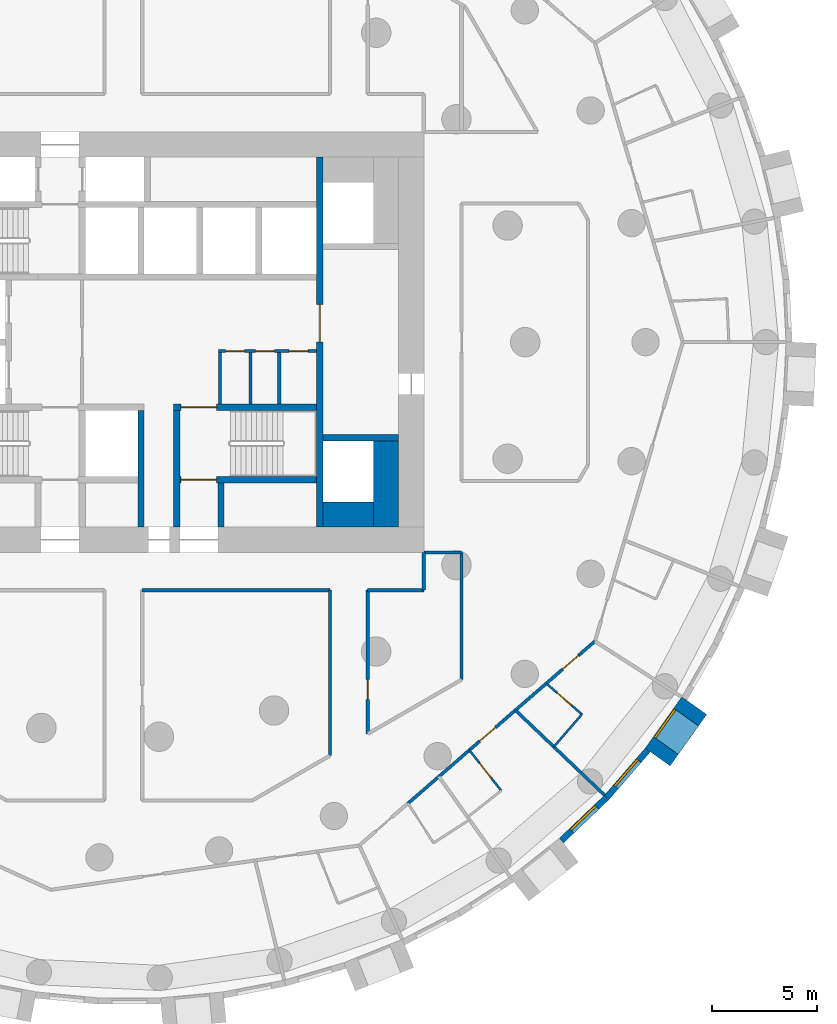
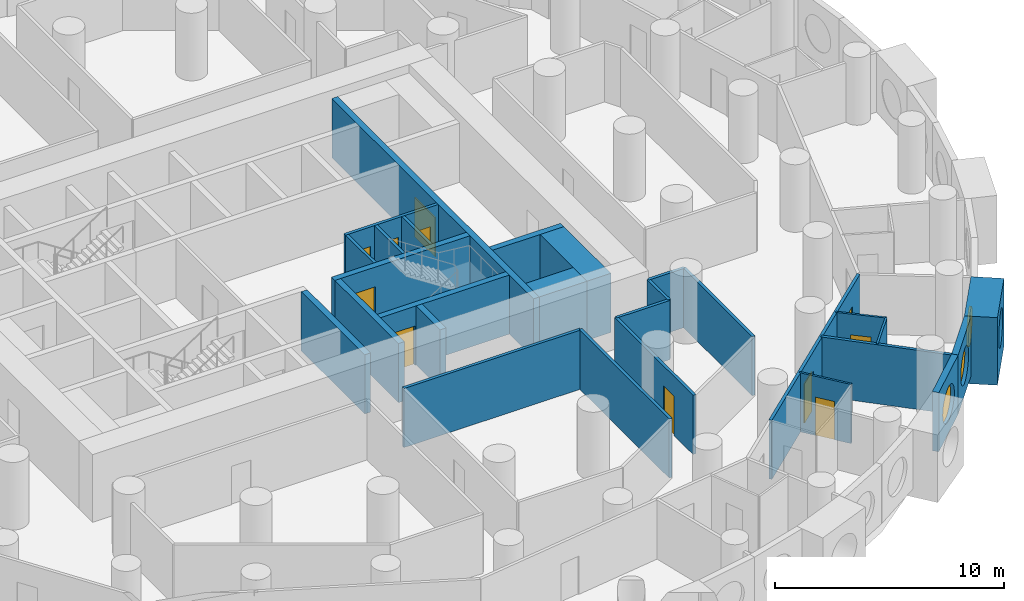
# One storey, part 5 of 12: 28 walls, 11 doors, 3 windows, 14 openings.
"""IFC4 building model written with IfcOpenShell, lengths in metres."""

from ifc_helpers import new_model, si_unit, direction, frame, frame_2d, origin, origin_2d, place, context, subcontext, project, spatial, rectangle, circle, extrude, material, layer, layer_set, type_object, element, fill, save


model = new_model("IFC4")

# Units and contexts
model_context = context("Model", 3, precision=1e-05, world=origin(), true_north=direction((0.0, 1.0)))
body_context = subcontext(model_context, "Body", "Model", "MODEL_VIEW")
ifc_project = project(units=[si_unit("LENGTHUNIT", "METRE"), si_unit("AREAUNIT", "SQUARE_METRE"), si_unit("VOLUMEUNIT", "CUBIC_METRE"), si_unit("PLANEANGLEUNIT", "RADIAN"), si_unit("MASSUNIT", "GRAM", prefix="KILO")], contexts=[model_context])

# Site, building, storey
site_placement = place(None, origin())
site = spatial("IfcSite", under=ifc_project, at=site_placement, CompositionType="ELEMENT")
building_placement = place(site_placement, origin())
building = spatial("IfcBuilding", under=site, at=building_placement, Name="Tracery Tower", CompositionType="ELEMENT")
storey_placement = place(building_placement, frame((0.0, 0.0, 75.0)))
storey = spatial("IfcBuildingStorey", under=building, at=storey_placement, Name="L18", CompositionType="ELEMENT", Elevation=75.0)

# Wall
ifc_material_1 = material(Name="Plasterboard on steel studs", Category="steel")
ifc_layer_1 = layer(ifc_material_1, 0.14990234375)
ifc_layer_set_1 = layer_set([ifc_layer_1], Name="Core room partition 150")
wall_type_1 = type_object("IfcWallType", Name="Core room partition 150", PredefinedType="SOLIDWALL", material=ifc_layer_set_1)
wall_1_placement = place(storey_placement, frame((4.300048828125, -2.949951171875, 0.0), z_axis=(0.0, 0.0, 1.0), x_axis=(0.0, 1.0, 0.0)))
element("IfcWall", 1, at=wall_1_placement, inside=storey, type_object=wall_type_1, Name="L18 slot W", PredefinedType="SOLIDWALL", context=body_context, shape_type="SweptSolid", body=[
    extrude(rectangle(XDim=2.449951171875, YDim=0.14990234375, at=frame_2d((1.22509765625, 0.0))), origin(), (0.0, 0.0, 1.0), 3.14990234375),
])

# Wall, openings, doors
wall_2_placement = place(storey_placement, frame((4.22509765625, -0.425048828125, 0.0), z_axis=(0.0, 0.0, 1.0), x_axis=(1.0, 0.0, 0.0)))
wall_2 = element("IfcWall", 2, at=wall_2_placement, inside=storey, type_object=wall_type_1, Name="L18 slot N", PredefinedType="SOLIDWALL", context=body_context, shape_type="SweptSolid", body=[
    extrude(rectangle(XDim=4.6748046875, YDim=0.14990234375, at=frame_2d((2.33740234375, 0.0))), origin(), (0.0, 0.0, 1.0), 3.14990234375),
])
opening_1_placement = place(wall_2_placement, frame((0.35009765625, 0.0, 0.0)))
opening_1 = element("IfcOpeningElement", 3, at=opening_1_placement, cuts=wall_2, Name="Opening KD27", PredefinedType="OPENING", context=body_context, shape_type="SweptSolid", body=[
    extrude(rectangle(XDim=0.89990234375, YDim=2.10009765625, at=frame_2d((0.449951171875, 1.050048828125))), frame((0.0, 0.074951171875, 0.0), z_axis=(0.0, -1.0, 0.0), x_axis=(1.0, 0.0, 0.0)), (0.0, 0.0, 1.0), 0.14990234375),
])
opening_2_placement = place(wall_2_placement, frame((1.762451171875, 0.0, 0.0)))
opening_2 = element("IfcOpeningElement", 4, at=opening_2_placement, cuts=wall_2, Name="Opening KD31", PredefinedType="OPENING", context=body_context, shape_type="SweptSolid", body=[
    extrude(rectangle(XDim=0.89990234375, YDim=2.10009765625, at=frame_2d((0.449951171875, 1.050048828125))), frame((0.0, 0.074951171875, 0.0), z_axis=(0.0, -1.0, 0.0), x_axis=(1.0, 0.0, 0.0)), (0.0, 0.0, 1.0), 0.14990234375),
])
opening_3_placement = place(wall_2_placement, frame((3.375, 0.0, 0.0)))
opening_3 = element("IfcOpeningElement", 5, at=opening_3_placement, cuts=wall_2, Name="Opening KD22", PredefinedType="OPENING", context=body_context, shape_type="SweptSolid", body=[
    extrude(rectangle(XDim=0.89990234375, YDim=2.10009765625, at=frame_2d((0.449951171875, 1.050048828125))), frame((0.0, 0.074951171875, 0.0), z_axis=(0.0, -1.0, 0.0), x_axis=(1.0, 0.0, 0.0)), (0.0, 0.0, 1.0), 0.14990234375),
])
ifc_material_2 = material(Name="Timber door leaf", Category="wood")
door_type_1 = type_object("IfcDoorType", Name="Core WC door 900", OperationType="NOTDEFINED", PredefinedType="DOOR", material=ifc_material_2)
door_1_placement = place(opening_3_placement, origin())
door_1 = element("IfcDoor", 6, at=door_1_placement, inside=storey, type_object=door_type_1, Name="Core door", OperationType="SINGLE_SWING_RIGHT", OverallHeight=2.10009765625, OverallWidth=0.89990234375, PredefinedType="DOOR", context=body_context, shape_type="SweptSolid", body=[
    extrude(rectangle(XDim=0.89990234375, YDim=2.10009765625, at=frame_2d((0.449951171875, 1.050048828125))), frame((0.0, 0.02490234375, 0.0), z_axis=(0.0, -1.0, 0.0), x_axis=(1.0, 0.0, 0.0)), (0.0, 0.0, 1.0), 0.050048828125),
])
fill(opening_3, door_1)
ifc_material_3 = material(Name="Steel fire door", Category="steel")
door_type_2 = type_object("IfcDoorType", Name="Core riser door 900", OperationType="NOTDEFINED", PredefinedType="DOOR", material=ifc_material_3)
door_2_placement = place(opening_2_placement, origin())
door_2 = element("IfcDoor", 7, at=door_2_placement, inside=storey, type_object=door_type_2, Name="Core door", OperationType="SINGLE_SWING_LEFT", OverallHeight=2.10009765625, OverallWidth=0.89990234375, PredefinedType="DOOR", context=body_context, shape_type="SweptSolid", body=[
    extrude(rectangle(XDim=0.89990234375, YDim=2.10009765625, at=frame_2d((0.449951171875, 1.050048828125))), frame((0.0, 0.02490234375, 0.0), z_axis=(0.0, -1.0, 0.0), x_axis=(1.0, 0.0, 0.0)), (0.0, 0.0, 1.0), 0.050048828125),
])
fill(opening_2, door_2)
ifc_material_4 = material(Name="Timber door leaf", Category="wood")
door_type_3 = type_object("IfcDoorType", Name="Core store door 900", OperationType="NOTDEFINED", PredefinedType="DOOR", material=ifc_material_4)
door_3_placement = place(opening_1_placement, origin())
door_3 = element("IfcDoor", 8, at=door_3_placement, inside=storey, type_object=door_type_3, Name="Core door", OperationType="SINGLE_SWING_RIGHT", OverallHeight=2.10009765625, OverallWidth=0.89990234375, PredefinedType="DOOR", context=body_context, shape_type="SweptSolid", body=[
    extrude(rectangle(XDim=0.89990234375, YDim=2.10009765625, at=frame_2d((0.449951171875, 1.050048828125))), frame((0.0, 0.02490234375, 0.0), z_axis=(0.0, -1.0, 0.0), x_axis=(1.0, 0.0, 0.0)), (0.0, 0.0, 1.0), 0.050048828125),
])
fill(opening_1, door_3)

# Walls
for number, where, z_axis, x_axis, name in (
    (9, (5.75, -2.949951171875, 0.0), (0.0, 0.0, 1.0), (0.0, 1.0, 0.0), "L18 slot sep 1"),
    (10, (7.125, -2.949951171875, 0.0), (0.0, 0.0, 1.0), (0.0, 1.0, 0.0), "L18 slot sep 2"),
):
    element("IfcWall", number, at=place(storey_placement, frame(where, z_axis=z_axis, x_axis=x_axis)), inside=storey, type_object=wall_type_1, Name=name, PredefinedType="SOLIDWALL", context=body_context, shape_type="SweptSolid", body=[
        extrude(rectangle(XDim=2.449951171875, YDim=0.14990234375, at=frame_2d((1.22509765625, 0.0))), origin(), (0.0, 0.0, 1.0), 3.14990234375),
    ])
ifc_material_5 = material(Name="Concrete C60/75", Category="concrete")
ifc_layer_2 = layer(ifc_material_5, 1.199951171875)
ifc_layer_set_2 = layer_set([ifc_layer_2], Name="Core strip wall 1200 C60")
wall_type_2 = type_object("IfcWallType", Name="Core strip wall 1200 C60", PredefinedType="SOLIDWALL", material=ifc_layer_set_2)
wall_3_placement = place(storey_placement, frame((12.199951171875, -8.800048828125, 0.0), z_axis=(0.0, 0.0, 1.0), x_axis=(0.0, 1.0, 0.0)))
element("IfcWall", 11, at=wall_3_placement, inside=storey, type_object=wall_type_2, Name="L18 wing strip +1 -9.4", PredefinedType="SOLIDWALL", context=body_context, shape_type="SweptSolid", body=[
    extrude(rectangle(XDim=4.10009765625, YDim=1.199951171875, at=frame_2d((2.050048828125, 0.0))), origin(), (0.0, 0.0, 1.0), 3.14990234375),
])
wall_4_placement = place(storey_placement, frame((9.199951171875, -8.199951171875, 0.0), z_axis=(0.0, 0.0, 1.0), x_axis=(1.0, 0.0, 0.0)))
element("IfcWall", 12, at=wall_4_placement, inside=storey, type_object=wall_type_2, Name="L18 wing corner +1 -8.2", PredefinedType="SOLIDWALL", context=body_context, shape_type="SweptSolid", body=[
    extrude(rectangle(XDim=2.400146484375, YDim=1.199951171875, at=frame_2d((1.2001953125, 0.0))), origin(), (0.0, 0.0, 1.0), 3.14990234375),
])

# Wall, opening, window
ifc_material_6 = material(Name="Precast concrete C50/60", Category="concrete")
ifc_layer_3 = layer(ifc_material_6, 1.449951171875)
ifc_layer_set_3 = layer_set([ifc_layer_3], Name="Deep-set bay unit 3000 x 3600, slab edge 450")
wall_type_3 = type_object("IfcWallType", Name="Deep-set bay unit 3000 x 3600, slab edge 450", PredefinedType="ELEMENTEDWALL", material=ifc_layer_set_3)
wall_5_placement = place(storey_placement, frame((25.126220703125, -19.733642578125, -0.449951171875), z_axis=(0.0, 0.0, 1.0), x_axis=(0.580090570606, 0.814551981088, 0.0)))
wall_5 = element("IfcWall", 13, at=wall_5_placement, inside=storey, type_object=wall_type_3, Name="Deep-set bay unit 60 at L18", PredefinedType="ELEMENTEDWALL", context=body_context, shape_type="SweptSolid", body=[
    extrude(rectangle(XDim=3.0, YDim=1.449951171875, at=frame_2d((1.5, 0.0))), origin(), (0.0, 0.0, 1.0), 3.599853515625),
])
opening_4_placement = place(wall_5_placement, frame((1.5, 0.0, 2.0)))
opening_4 = element("IfcOpeningElement", 14, at=opening_4_placement, cuts=wall_5, Name="Opening WN1", PredefinedType="OPENING", context=body_context, shape_type="SweptSolid", body=[
    extrude(circle(Radius=0.9000244140625, at=origin_2d()), frame((0.0, 0.73486328125, 0.0), z_axis=(0.0, -1.0, 0.0), x_axis=(1.0, 0.0, 0.0)), (0.0, 0.0, 1.0), 1.469970703125),
])
ifc_material_7 = material(Name="Aluminium frame with tinted double glazing", Category="aluminium")
window_type = type_object("IfcWindowType", Name="Round window 1800", PartitioningType="SINGLE_PANEL", PredefinedType="WINDOW", material=ifc_material_7)
window_1_placement = place(opening_4_placement, origin())
window_1 = element("IfcWindow", 15, at=window_1_placement, inside=storey, type_object=window_type, Name="Round window 60 at L18", OverallHeight=1.800048828125, OverallWidth=1.800048828125, PartitioningType="SINGLE_PANEL", PredefinedType="WINDOW", context=body_context, shape_type="SweptSolid", body=[
    extrude(circle(Radius=0.9000244140625, at=origin_2d()), frame((0.0, 0.69482421875, 0.0), z_axis=(0.0, -1.0, 0.0), x_axis=(1.0, 0.0, 0.0)), (0.0, 0.0, 1.0), 0.10009765625),
])
fill(opening_4, window_1)

ifc_material_8 = material(Name="Precast concrete C50/60", Category="concrete")
ifc_layer_4 = layer(ifc_material_8, 0.300048828125)
ifc_layer_set_4 = layer_set([ifc_layer_4], Name="Facade panel 3000 x 3150")
wall_type_4 = type_object("IfcWallType", Name="Facade panel 3000 x 3150", PredefinedType="SOLIDWALL", material=ifc_layer_set_4)
wall_6_placement = place(storey_placement, frame((20.55029296875, -23.70703125, 0.0), z_axis=(0.0, 0.0, 1.0), x_axis=(0.723744206617, 0.690068346896, 0.0)))
wall_6 = element("IfcWall", 16, at=wall_6_placement, inside=storey, type_object=wall_type_4, Name="Facade panel 58 at L18", PredefinedType="SOLIDWALL", context=body_context, shape_type="SweptSolid", body=[
    extrude(rectangle(XDim=2.979736328125, YDim=0.300048828125, at=frame_2d((1.48974609375, 0.0))), origin(), (0.0, 0.0, 1.0), 3.14990234375),
])
opening_5_placement = place(wall_6_placement, frame((1.48974609375, 0.0, 1.5498046875)))
opening_5 = element("IfcOpeningElement", 17, at=opening_5_placement, cuts=wall_6, Name="Opening WN1", PredefinedType="OPENING", context=body_context, shape_type="SweptSolid", body=[
    extrude(circle(Radius=0.9000244140625, at=origin_2d()), frame((0.0, 0.159912109375, 0.0), z_axis=(0.0, -1.0, 0.0), x_axis=(1.0, 0.0, 0.0)), (0.0, 0.0, 1.0), 0.320068359375),
])
window_2_placement = place(opening_5_placement, origin())
window_2 = element("IfcWindow", 18, at=window_2_placement, inside=storey, type_object=window_type, Name="Round window 58 at L18", OverallHeight=1.800048828125, OverallWidth=1.800048828125, PartitioningType="SINGLE_PANEL", PredefinedType="WINDOW", context=body_context, shape_type="SweptSolid", body=[
    extrude(circle(Radius=0.9000244140625, at=origin_2d()), frame((0.0, 0.1201171875, 0.0), z_axis=(0.0, -1.0, 0.0), x_axis=(1.0, 0.0, 0.0)), (0.0, 0.0, 1.0), 0.10009765625),
])
fill(opening_5, window_2)

wall_7_placement = place(storey_placement, frame((22.706787109375, -21.65087890625, 0.0), z_axis=(0.0, 0.0, 1.0), x_axis=(0.654830712471, 0.755775587066, 0.0)))
wall_7 = element("IfcWall", 19, at=wall_7_placement, inside=storey, type_object=wall_type_4, Name="Facade panel 59 at L18", PredefinedType="SOLIDWALL", context=body_context, shape_type="SweptSolid", body=[
    extrude(rectangle(XDim=2.979736328125, YDim=0.300048828125, at=frame_2d((1.48974609375, 0.0))), origin(), (0.0, 0.0, 1.0), 3.14990234375),
])
opening_6_placement = place(wall_7_placement, frame((1.48974609375, 0.0, 1.5498046875)))
opening_6 = element("IfcOpeningElement", 20, at=opening_6_placement, cuts=wall_7, Name="Opening WN1", PredefinedType="OPENING", context=body_context, shape_type="SweptSolid", body=[
    extrude(circle(Radius=0.9000244140625, at=origin_2d()), frame((0.0, 0.159912109375, 0.0), z_axis=(0.0, -1.0, 0.0), x_axis=(1.0, 0.0, 0.0)), (0.0, 0.0, 1.0), 0.320068359375),
])
window_3_placement = place(opening_6_placement, origin())
window_3 = element("IfcWindow", 21, at=window_3_placement, inside=storey, type_object=window_type, Name="Round window 59 at L18", OverallHeight=1.800048828125, OverallWidth=1.800048828125, PartitioningType="SINGLE_PANEL", PredefinedType="WINDOW", context=body_context, shape_type="SweptSolid", body=[
    extrude(circle(Radius=0.9000244140625, at=origin_2d()), frame((0.0, 0.1201171875, 0.0), z_axis=(0.0, -1.0, 0.0), x_axis=(1.0, 0.0, 0.0)), (0.0, 0.0, 1.0), 0.10009765625),
])
fill(opening_6, window_3)

# Wall, opening, door
ifc_material_9 = material(Name="Plasterboard on steel studs", Category="steel")
ifc_layer_5 = layer(ifc_material_9, 0.10009765625)
ifc_layer_set_5 = layer_set([ifc_layer_5], Name="Partition 100 wet wall")
wall_type_5 = type_object("IfcWallType", Name="Partition 100 wet wall", PredefinedType="PARTITIONING", material=ifc_layer_set_5)
wall_8_placement = place(storey_placement, frame((16.16796875, -19.404052734375, 0.0), z_axis=(0.0, 0.0, 1.0), x_axis=(0.618142414415, -0.786066126672, 0.0)))
wall_8 = element("IfcWall", 22, at=wall_8_placement, inside=storey, type_object=wall_type_5, Name="Wet wall RA5-094", PredefinedType="PARTITIONING", context=body_context, shape_type="SweptSolid", body=[
    extrude(rectangle(XDim=2.45263671875, YDim=0.10009765625, at=frame_2d((1.226318359375, 0.0))), origin(), (0.0, 0.0, 1.0), 3.14990234375),
])
opening_7_placement = place(wall_8_placement, frame((0.776611328125, 0.0, 0.0)))
opening_7 = element("IfcOpeningElement", 23, at=opening_7_placement, cuts=wall_8, Name="Opening RA5-35", PredefinedType="OPENING", context=body_context, shape_type="SweptSolid", body=[
    extrude(rectangle(XDim=0.89990234375, YDim=2.0400390625, at=frame_2d((0.449951171875, 1.02001953125))), frame((0.0, 0.050048828125, 0.0), z_axis=(0.0, -1.0, 0.0), x_axis=(1.0, 0.0, 0.0)), (0.0, 0.0, 1.0), 0.10009765625),
])
ifc_material_10 = material(Name="Timber door leaf", Category="wood")
door_type_4 = type_object("IfcDoorType", Name="Door en-suite 900", OperationType="NOTDEFINED", PredefinedType="DOOR", material=ifc_material_10)
door_4_placement = place(opening_7_placement, origin())
door_4 = element("IfcDoor", 24, at=door_4_placement, inside=storey, type_object=door_type_4, Name="En-suite door RA5-35", OperationType="SINGLE_SWING_LEFT", OverallHeight=2.0400390625, OverallWidth=0.89990234375, PredefinedType="DOOR", context=body_context, shape_type="SweptSolid", body=[
    extrude(rectangle(XDim=0.89990234375, YDim=2.0400390625, at=frame_2d((0.449951171875, 1.02001953125))), frame((0.0, 0.02490234375, 0.0), z_axis=(0.0, -1.0, 0.0), x_axis=(1.0, 0.0, 0.0)), (0.0, 0.0, 1.0), 0.050048828125),
])
fill(opening_7, door_4)

# Wall
wall_9_placement = place(storey_placement, frame((20.18408203125, -19.2451171875, 0.0), z_axis=(0.0, 0.0, 1.0), x_axis=(0.655017058368, 0.755614090159, 0.0)))
element("IfcWall", 25, at=wall_9_placement, inside=storey, type_object=wall_type_5, Name="Wet wall RA5-096", PredefinedType="PARTITIONING", context=body_context, shape_type="SweptSolid", body=[
    extrude(rectangle(XDim=2.041015625, YDim=0.10009765625, at=frame_2d((1.0205078125, 0.0))), origin(), (0.0, 0.0, 1.0), 3.14990234375),
])

# Wall, opening, door
wall_10_placement = place(storey_placement, frame((19.825927734375, -16.23388671875, 0.0), z_axis=(0.0, 0.0, 1.0), x_axis=(0.755703447798, -0.654913963042, 0.0)))
wall_10 = element("IfcWall", 26, at=wall_10_placement, inside=storey, type_object=wall_type_5, Name="Wet wall RA5-097", PredefinedType="PARTITIONING", context=body_context, shape_type="SweptSolid", body=[
    extrude(rectangle(XDim=2.242919921875, YDim=0.10009765625, at=frame_2d((1.12158203125, 0.0))), origin(), (0.0, 0.0, 1.0), 3.14990234375),
])
opening_8_placement = place(wall_10_placement, frame((0.672119140625, 0.0, 0.0)))
opening_8 = element("IfcOpeningElement", 27, at=opening_8_placement, cuts=wall_10, Name="Opening RA5-37", PredefinedType="OPENING", context=body_context, shape_type="SweptSolid", body=[
    extrude(rectangle(XDim=0.89990234375, YDim=2.0400390625, at=frame_2d((0.449951171875, 1.02001953125))), frame((0.0, 0.050048828125, 0.0), z_axis=(0.0, -1.0, 0.0), x_axis=(1.0, 0.0, 0.0)), (0.0, 0.0, 1.0), 0.10009765625),
])
door_5_placement = place(opening_8_placement, origin())
door_5 = element("IfcDoor", 28, at=door_5_placement, inside=storey, type_object=door_type_4, Name="En-suite door RA5-37", OperationType="SINGLE_SWING_LEFT", OverallHeight=2.0400390625, OverallWidth=0.89990234375, PredefinedType="DOOR", context=body_context, shape_type="SweptSolid", body=[
    extrude(rectangle(XDim=0.89990234375, YDim=2.0400390625, at=frame_2d((0.449951171875, 1.02001953125))), frame((0.0, 0.02490234375, 0.0), z_axis=(0.0, -1.0, 0.0), x_axis=(1.0, 0.0, 0.0)), (0.0, 0.0, 1.0), 0.050048828125),
])
fill(opening_8, door_5)

# Walls
ifc_material_11 = material(Name="Plasterboard on steel studs", Category="steel")
ifc_layer_6 = layer(ifc_material_11, 0.14990234375)
ifc_layer_set_6 = layer_set([ifc_layer_6], Name="Partition 150 acoustic unit wall")
wall_type_6 = type_object("IfcWallType", Name="Partition 150 acoustic unit wall", PredefinedType="PARTITIONING", material=ifc_layer_set_6)
wall_11_placement = place(storey_placement, frame((18.35888671875, -17.506103515625, 0.0), z_axis=(0.0, 0.0, 1.0), x_axis=(0.723808715798, -0.690000683286, 0.0)))
element("IfcWall", 29, at=wall_11_placement, inside=storey, type_object=wall_type_6, Name="Unit wall RA5-095", PredefinedType="PARTITIONING", context=body_context, shape_type="SweptSolid", body=[
    extrude(rectangle(XDim=5.8564453125, YDim=0.14990234375, at=frame_2d((2.92822265625, 0.0))), origin(), (0.0, 0.0, 1.0), 3.14990234375),
])
ifc_material_12 = material(Name="Plasterboard on steel studs", Category="steel")
ifc_layer_7 = layer(ifc_material_12, 0.14990234375)
ifc_layer_set_7 = layer_set([ifc_layer_7], Name="Partition 150 corridor wall")
wall_type_7 = type_object("IfcWallType", Name="Partition 150 corridor wall", PredefinedType="PARTITIONING", material=ifc_layer_set_7)
wall_12_placement = place(storey_placement, frame((0.60400390625, -11.800048828125, 0.0), z_axis=(0.0, 0.0, 1.0), x_axis=(1.0, 0.0, 0.0)))
element("IfcWall", 30, at=wall_12_placement, inside=storey, type_object=wall_type_7, Name="Corridor wall RA5-006", PredefinedType="PARTITIONING", context=body_context, shape_type="SweptSolid", body=[
    extrude(rectangle(XDim=8.93603515625, YDim=0.14990234375, at=frame_2d((4.468017578125, 0.0))), origin(), (0.0, 0.0, 1.0), 3.14990234375),
])
wall_13_placement = place(storey_placement, frame((14.0, -11.800048828125, 0.0), z_axis=(0.0, 0.0, 1.0), x_axis=(0.0, 1.0, 0.0)))
element("IfcWall", 31, at=wall_13_placement, inside=storey, type_object=wall_type_7, Name="Corridor wall RA5-007", PredefinedType="PARTITIONING", context=body_context, shape_type="SweptSolid", body=[
    extrude(rectangle(XDim=1.800048828125, YDim=0.14990234375, at=frame_2d((0.89990234375, 0.0))), origin(), (0.0, 0.0, 1.0), 3.14990234375),
])
wall_14_placement = place(storey_placement, frame((11.33203125, -11.800048828125, 0.0), z_axis=(0.0, 0.0, 1.0), x_axis=(1.0, 0.0, 0.0)))
element("IfcWall", 32, at=wall_14_placement, inside=storey, type_object=wall_type_7, Name="Corridor wall RA5-008", PredefinedType="PARTITIONING", context=body_context, shape_type="SweptSolid", body=[
    extrude(rectangle(XDim=2.66796875, YDim=0.14990234375, at=frame_2d((1.333984375, 0.0))), origin(), (0.0, 0.0, 1.0), 3.14990234375),
])
wall_15_placement = place(storey_placement, frame((14.0, -10.0, 0.0), z_axis=(0.0, 0.0, 1.0), x_axis=(1.0, 0.0, 0.0)))
element("IfcWall", 33, at=wall_15_placement, inside=storey, type_object=wall_type_7, Name="Corridor wall RA5-010", PredefinedType="PARTITIONING", context=body_context, shape_type="SweptSolid", body=[
    extrude(rectangle(XDim=1.800048828125, YDim=0.14990234375, at=frame_2d((0.89990234375, 0.0))), origin(), (0.0, 0.0, 1.0), 3.14990234375),
])
wall_16_placement = place(storey_placement, frame((15.800048828125, -16.052978515625, 0.0), z_axis=(0.0, 0.0, 1.0), x_axis=(0.0, 1.0, 0.0)))
element("IfcWall", 34, at=wall_16_placement, inside=storey, type_object=wall_type_7, Name="Corridor wall RA5-013", PredefinedType="PARTITIONING", context=body_context, shape_type="SweptSolid", body=[
    extrude(rectangle(XDim=6.056884765625, YDim=0.14990234375, at=frame_2d((3.0283203125, 0.0))), origin(), (0.0, 0.0, 1.0), 3.14990234375),
])

# Wall, openings, doors
wall_17_placement = place(storey_placement, frame((13.247314453125, -21.939453125, 0.0), z_axis=(0.0, 0.0, 1.0), x_axis=(0.755420750547, 0.655240024451, 0.0)))
wall_17 = element("IfcWall", 35, at=wall_17_placement, inside=storey, type_object=wall_type_7, Name="Corridor wall RA5-022", PredefinedType="PARTITIONING", context=body_context, shape_type="SweptSolid", body=[
    extrude(rectangle(XDim=11.770751953125, YDim=0.14990234375, at=frame_2d((5.88525390625, 0.0))), origin(), (0.0, 0.0, 1.0), 3.14990234375),
])
opening_9_placement = place(wall_17_placement, frame((4.512939453125, 0.0, 0.0)))
opening_9 = element("IfcOpeningElement", 36, at=opening_9_placement, cuts=wall_17, Name="Opening RA5-36", PredefinedType="OPENING", context=body_context, shape_type="SweptSolid", body=[
    extrude(rectangle(XDim=1.0, YDim=2.10009765625, at=frame_2d((0.5, 1.050048828125))), frame((0.0, 0.074951171875, 0.0), z_axis=(0.0, -1.0, 0.0), x_axis=(1.0, 0.0, 0.0)), (0.0, 0.0, 1.0), 0.14990234375),
])
opening_10_placement = place(wall_17_placement, frame((9.73779296875, 0.0, 0.0)))
opening_10 = element("IfcOpeningElement", 37, at=opening_10_placement, cuts=wall_17, Name="Opening RA5-38", PredefinedType="OPENING", context=body_context, shape_type="SweptSolid", body=[
    extrude(rectangle(XDim=1.0, YDim=2.10009765625, at=frame_2d((0.5, 1.050048828125))), frame((0.0, 0.074951171875, 0.0), z_axis=(0.0, -1.0, 0.0), x_axis=(1.0, 0.0, 0.0)), (0.0, 0.0, 1.0), 0.14990234375),
])
ifc_material_13 = material(Name="Timber door leaf", Category="wood")
door_type_5 = type_object("IfcDoorType", Name="Door unit entrance 1000", OperationType="NOTDEFINED", PredefinedType="DOOR", material=ifc_material_13)
door_6_placement = place(opening_9_placement, origin())
door_6 = element("IfcDoor", 38, at=door_6_placement, inside=storey, type_object=door_type_5, Name="Unit entrance door RA5-36", OperationType="SINGLE_SWING_LEFT", OverallHeight=2.10009765625, OverallWidth=1.0, PredefinedType="DOOR", context=body_context, shape_type="SweptSolid", body=[
    extrude(rectangle(XDim=1.0, YDim=2.10009765625, at=frame_2d((0.5, 1.050048828125))), frame((0.0, 0.02490234375, 0.0), z_axis=(0.0, -1.0, 0.0), x_axis=(1.0, 0.0, 0.0)), (0.0, 0.0, 1.0), 0.050048828125),
])
fill(opening_9, door_6)
door_7_placement = place(opening_10_placement, origin())
door_7 = element("IfcDoor", 39, at=door_7_placement, inside=storey, type_object=door_type_5, Name="Unit entrance door RA5-38", OperationType="SINGLE_SWING_LEFT", OverallHeight=2.10009765625, OverallWidth=1.0, PredefinedType="DOOR", context=body_context, shape_type="SweptSolid", body=[
    extrude(rectangle(XDim=1.0, YDim=2.10009765625, at=frame_2d((0.5, 1.050048828125))), frame((0.0, 0.02490234375, 0.0), z_axis=(0.0, -1.0, 0.0), x_axis=(1.0, 0.0, 0.0)), (0.0, 0.0, 1.0), 0.050048828125),
])
fill(opening_10, door_7)

# Wall
wall_18_placement = place(storey_placement, frame((9.535888671875, -19.6689453125, 0.0), z_axis=(0.0, 0.0, 1.0), x_axis=(0.0, 1.0, 0.0)))
element("IfcWall", 40, at=wall_18_placement, inside=storey, type_object=wall_type_7, Name="Corridor wall RA5-051", PredefinedType="PARTITIONING", context=body_context, shape_type="SweptSolid", body=[
    extrude(rectangle(XDim=7.868896484375, YDim=0.14990234375, at=frame_2d((3.9345703125, 0.0))), origin(), (0.0, 0.0, 1.0), 3.14990234375),
])

# Wall, opening, door
wall_19_placement = place(storey_placement, frame((11.3359375, -18.6298828125, 0.0), z_axis=(0.0, 0.0, 1.0), x_axis=(0.0, 1.0, 0.0)))
wall_19 = element("IfcWall", 41, at=wall_19_placement, inside=storey, type_object=wall_type_7, Name="Corridor wall RA5-052", PredefinedType="PARTITIONING", context=body_context, shape_type="SweptSolid", body=[
    extrude(rectangle(XDim=6.829833984375, YDim=0.14990234375, at=frame_2d((3.4150390625, 0.0))), origin(), (0.0, 0.0, 1.0), 3.14990234375),
])
opening_11_placement = place(wall_19_placement, frame((1.639892578125, 0.0, 0.0)))
opening_11 = element("IfcOpeningElement", 42, at=opening_11_placement, cuts=wall_19, Name="Opening RA5-06", PredefinedType="OPENING", context=body_context, shape_type="SweptSolid", body=[
    extrude(rectangle(XDim=0.949951171875, YDim=2.10009765625, at=frame_2d((0.47509765625, 1.050048828125))), frame((0.0, 0.074951171875, 0.0), z_axis=(0.0, -1.0, 0.0), x_axis=(1.0, 0.0, 0.0)), (0.0, 0.0, 1.0), 0.14990234375),
])
ifc_material_14 = material(Name="Timber door leaf", Category="wood")
door_type_6 = type_object("IfcDoorType", Name="Door store 950", OperationType="NOTDEFINED", PredefinedType="DOOR", material=ifc_material_14)
door_8_placement = place(opening_11_placement, origin())
door_8 = element("IfcDoor", 43, at=door_8_placement, inside=storey, type_object=door_type_6, Name="Store door RA5-06", OperationType="SINGLE_SWING_RIGHT", OverallHeight=2.10009765625, OverallWidth=0.949951171875, PredefinedType="DOOR", context=body_context, shape_type="SweptSolid", body=[
    extrude(rectangle(XDim=0.949951171875, YDim=2.10009765625, at=frame_2d((0.47509765625, 1.050048828125))), frame((0.0, 0.02490234375, 0.0), z_axis=(0.0, -1.0, 0.0), x_axis=(1.0, 0.0, 0.0)), (0.0, 0.0, 1.0), 0.050048828125),
])
fill(opening_11, door_8)

# Walls
ifc_material_15 = material(Name="Concrete C60/75", Category="concrete")
ifc_layer_8 = layer(ifc_material_15, 0.300048828125)
ifc_layer_set_8 = layer_set([ifc_layer_8], Name="Shaft wall 300 C60")
wall_type_8 = type_object("IfcWallType", Name="Shaft wall 300 C60", PredefinedType="SOLIDWALL", material=ifc_layer_set_8)
wall_20_placement = place(storey_placement, frame((0.550048828125, -8.800048828125, 0.0), z_axis=(0.0, 0.0, 1.0), x_axis=(0.0, 1.0, 0.0)))
element("IfcWall", 44, at=wall_20_placement, inside=storey, type_object=wall_type_8, Name="L18 OB2 E", PredefinedType="SOLIDWALL", context=body_context, shape_type="SweptSolid", body=[
    extrude(rectangle(XDim=5.550048828125, YDim=0.300048828125, at=frame_2d((2.77490234375, 0.0))), origin(), (0.0, 0.0, 1.0), 3.14990234375),
])
wall_21_placement = place(storey_placement, frame((4.35009765625, -8.800048828125, 0.0), z_axis=(0.0, 0.0, 1.0), x_axis=(0.0, 1.0, 0.0)))
element("IfcWall", 45, at=wall_21_placement, inside=storey, type_object=wall_type_8, Name="L18 band S +4.35", PredefinedType="SOLIDWALL", context=body_context, shape_type="SweptSolid", body=[
    extrude(rectangle(XDim=2.10009765625, YDim=0.300048828125, at=frame_2d((1.050048828125, 0.0))), origin(), (0.0, 0.0, 1.0), 3.14990234375),
])
wall_22_placement = place(storey_placement, frame((9.199951171875, -4.550048828125, 0.0), z_axis=(0.0, 0.0, 1.0), x_axis=(1.0, 0.0, 0.0)))
element("IfcWall", 46, at=wall_22_placement, inside=storey, type_object=wall_type_8, Name="L18 wing shaft wall +1 -4.55", PredefinedType="SOLIDWALL", context=body_context, shape_type="SweptSolid", body=[
    extrude(rectangle(XDim=3.60009765625, YDim=0.300048828125, at=frame_2d((1.800048828125, 0.0))), origin(), (0.0, 0.0, 1.0), 3.14990234375),
])

# Wall, opening, door
ifc_material_16 = material(Name="Concrete C60/75", Category="concrete")
ifc_layer_9 = layer(ifc_material_16, 0.300048828125)
ifc_layer_set_9 = layer_set([ifc_layer_9], Name="Stair wall 300 C60")
wall_type_9 = type_object("IfcWallType", Name="Stair wall 300 C60", PredefinedType="SOLIDWALL", material=ifc_layer_set_9)
wall_23_placement = place(storey_placement, frame((2.10009765625, -3.10009765625, 0.0), z_axis=(0.0, 0.0, 1.0), x_axis=(1.0, 0.0, 0.0)))
wall_23 = element("IfcWall", 47, at=wall_23_placement, inside=storey, type_object=wall_type_9, Name="L18 row S E", PredefinedType="SOLIDWALL", context=body_context, shape_type="SweptSolid", body=[
    extrude(rectangle(XDim=6.7998046875, YDim=0.300048828125, at=frame_2d((3.39990234375, 0.0))), origin(), (0.0, 0.0, 1.0), 3.14990234375),
])
opening_12_placement = place(wall_23_placement, frame((0.35009765625, 0.0, 0.0)))
opening_12 = element("IfcOpeningElement", 48, at=opening_12_placement, cuts=wall_23, Name="Opening KD3", PredefinedType="OPENING", context=body_context, shape_type="SweptSolid", body=[
    extrude(rectangle(XDim=1.699951171875, YDim=2.10009765625, at=frame_2d((0.85009765625, 1.050048828125))), frame((0.0, 0.14990234375, 0.0), z_axis=(0.0, -1.0, 0.0), x_axis=(1.0, 0.0, 0.0)), (0.0, 0.0, 1.0), 0.300048828125),
])
ifc_material_17 = material(Name="Steel fire door", Category="steel")
door_type_7 = type_object("IfcDoorType", Name="Core stair door 1700 double", OperationType="NOTDEFINED", PredefinedType="DOOR", material=ifc_material_17)
door_9_placement = place(opening_12_placement, origin())
door_9 = element("IfcDoor", 49, at=door_9_placement, inside=storey, type_object=door_type_7, Name="Stair door ST2", OperationType="DOUBLE_DOOR_SINGLE_SWING", OverallHeight=2.10009765625, OverallWidth=1.699951171875, PredefinedType="DOOR", context=body_context, shape_type="SweptSolid", body=[
    extrude(rectangle(XDim=1.699951171875, YDim=2.10009765625, at=frame_2d((0.85009765625, 1.050048828125))), frame((0.0, 0.02490234375, 0.0), z_axis=(0.0, -1.0, 0.0), x_axis=(1.0, 0.0, 0.0)), (0.0, 0.0, 1.0), 0.050048828125),
])
fill(opening_12, door_9)

# Wall
wall_24_placement = place(storey_placement, frame((2.25, -8.800048828125, 0.0), z_axis=(0.0, 0.0, 1.0), x_axis=(0.0, 1.0, 0.0)))
element("IfcWall", 50, at=wall_24_placement, inside=storey, type_object=wall_type_9, Name="L18 ST2 W", PredefinedType="SOLIDWALL", context=body_context, shape_type="SweptSolid", body=[
    extrude(rectangle(XDim=5.550048828125, YDim=0.300048828125, at=frame_2d((2.77490234375, 0.0))), origin(), (0.0, 0.0, 1.0), 3.14990234375),
])

# Wall, opening, door
wall_25_placement = place(storey_placement, frame((9.050048828125, -8.800048828125, 0.0), z_axis=(0.0, 0.0, 1.0), x_axis=(0.0, 1.0, 0.0)))
wall_25 = element("IfcWall", 51, at=wall_25_placement, inside=storey, type_object=wall_type_9, Name="L18 F wall +9", PredefinedType="SOLIDWALL", context=body_context, shape_type="SweptSolid", body=[
    extrude(rectangle(XDim=17.60009765625, YDim=0.300048828125, at=frame_2d((8.800048828125, 0.0))), origin(), (0.0, 0.0, 1.0), 3.14990234375),
])
opening_13_placement = place(wall_25_placement, frame((8.800048828125, 0.0, 0.0)))
opening_13 = element("IfcOpeningElement", 52, at=opening_13_placement, cuts=wall_25, Name="Opening KD13", PredefinedType="OPENING", context=body_context, shape_type="SweptSolid", body=[
    extrude(rectangle(XDim=1.800048828125, YDim=2.10009765625, at=frame_2d((0.89990234375, 1.050048828125))), frame((0.0, 0.14990234375, 0.0), z_axis=(0.0, -1.0, 0.0), x_axis=(1.0, 0.0, 0.0)), (0.0, 0.0, 1.0), 0.300048828125),
])
ifc_material_18 = material(Name="Steel fire door", Category="steel")
door_type_8 = type_object("IfcDoorType", Name="Core exit door 1800 double", OperationType="NOTDEFINED", PredefinedType="DOOR", material=ifc_material_18)
door_10_placement = place(opening_13_placement, origin())
door_10 = element("IfcDoor", 53, at=door_10_placement, inside=storey, type_object=door_type_8, Name="Core exit door", OperationType="DOUBLE_DOOR_SINGLE_SWING", OverallHeight=2.10009765625, OverallWidth=1.800048828125, PredefinedType="DOOR", context=body_context, shape_type="SweptSolid", body=[
    extrude(rectangle(XDim=1.800048828125, YDim=2.10009765625, at=frame_2d((0.89990234375, 1.050048828125))), frame((0.0, 0.02490234375, 0.0), z_axis=(0.0, -1.0, 0.0), x_axis=(1.0, 0.0, 0.0)), (0.0, 0.0, 1.0), 0.050048828125),
])
fill(opening_13, door_10)

wall_26_placement = place(storey_placement, frame((2.39990234375, -6.550048828125, 0.0), z_axis=(0.0, 0.0, 1.0), x_axis=(1.0, 0.0, 0.0)))
wall_26 = element("IfcWall", 54, at=wall_26_placement, inside=storey, type_object=wall_type_9, Name="L18 F S E", PredefinedType="SOLIDWALL", context=body_context, shape_type="SweptSolid", body=[
    extrude(rectangle(XDim=6.5, YDim=0.300048828125, at=frame_2d((3.25, 0.0))), origin(), (0.0, 0.0, 1.0), 3.14990234375),
])
opening_14_placement = place(wall_26_placement, frame((0.050048828125, 0.0, 0.0)))
opening_14 = element("IfcOpeningElement", 55, at=opening_14_placement, cuts=wall_26, Name="Opening KD3", PredefinedType="OPENING", context=body_context, shape_type="SweptSolid", body=[
    extrude(rectangle(XDim=1.699951171875, YDim=2.10009765625, at=frame_2d((0.85009765625, 1.050048828125))), frame((0.0, 0.14990234375, 0.0), z_axis=(0.0, -1.0, 0.0), x_axis=(1.0, 0.0, 0.0)), (0.0, 0.0, 1.0), 0.300048828125),
])
door_11_placement = place(opening_14_placement, origin())
door_11 = element("IfcDoor", 56, at=door_11_placement, inside=storey, type_object=door_type_7, Name="Stair door ST2 S", OperationType="DOUBLE_DOOR_SINGLE_SWING", OverallHeight=2.10009765625, OverallWidth=1.699951171875, PredefinedType="DOOR", context=body_context, shape_type="SweptSolid", body=[
    extrude(rectangle(XDim=1.699951171875, YDim=2.10009765625, at=frame_2d((0.85009765625, 1.050048828125))), frame((0.0, 0.02490234375, 0.0), z_axis=(0.0, -1.0, 0.0), x_axis=(1.0, 0.0, 0.0)), (0.0, 0.0, 1.0), 0.050048828125),
])
fill(opening_14, door_11)

save(model, "model.ifc")
